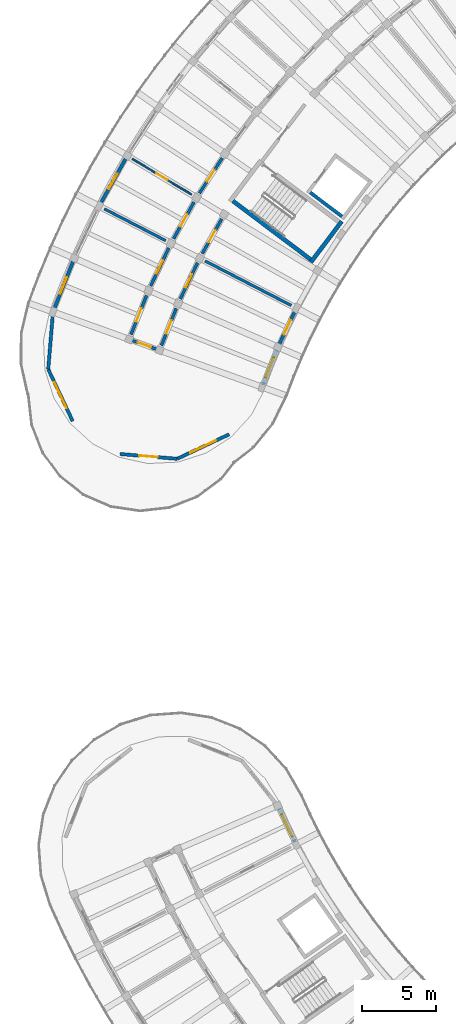
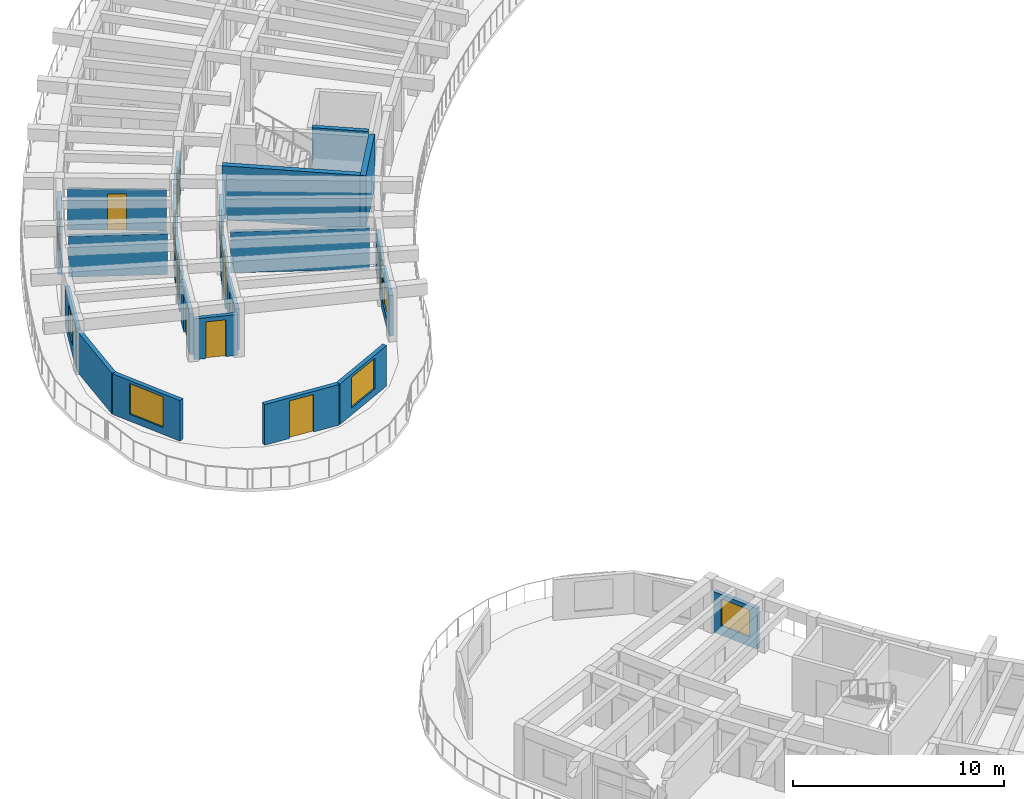
# One storey, part 36 of 62: 23 walls, 11 doors, 6 windows, 17 openings.
"""IFC4 building model written with IfcOpenShell, lengths in metres."""

from ifc_helpers import new_model, si_unit, direction, frame, frame_2d, origin, place, context, subcontext, project, spatial, rectangle, extrude, material, layer, layer_set, type_object, element, fill, save


model = new_model("IFC4")

# Units and contexts
model_context = context("Model", 3, precision=1e-05, world=origin(), true_north=direction((0.0, 1.0)))
body_context = subcontext(model_context, "Body", "Model", "MODEL_VIEW")
ifc_project = project(units=[si_unit("LENGTHUNIT", "METRE"), si_unit("AREAUNIT", "SQUARE_METRE"), si_unit("VOLUMEUNIT", "CUBIC_METRE"), si_unit("PLANEANGLEUNIT", "RADIAN"), si_unit("MASSUNIT", "GRAM", prefix="KILO")], contexts=[model_context])

# Site, building, storey
site_placement = place(None, origin())
site = spatial("IfcSite", under=ifc_project, at=site_placement, CompositionType="ELEMENT")
building_placement = place(site_placement, origin())
building = spatial("IfcBuilding", under=site, at=building_placement, Name="Tanwirah Colonnade Gardens", CompositionType="ELEMENT")
storey_placement = place(building_placement, frame((0.0, 0.0, 32.360107421875)))
storey = spatial("IfcBuildingStorey", under=building, at=storey_placement, Name="L09", CompositionType="ELEMENT", Elevation=32.360107421875)

# Wall, opening, window
ifc_material_1 = material(Name="Limestone architectural precast concrete C40/50", Category="masonry")
ifc_layer_1 = layer(ifc_material_1, 0.219970703125)
ifc_layer_set_1 = layer_set([ifc_layer_1], Name="Limestone architectural precast concrete C40/50")
wall_type_1 = type_object("IfcWallType", Name="EW-PC220", PredefinedType="SOLIDWALL", material=ifc_layer_set_1)
wall_1_placement = place(storey_placement, frame((24.3330078125, 46.572265625, 0.0), z_axis=(0.0, 0.0, 1.0), x_axis=(0.428623769132, -0.90348307374, 0.0)))
wall_1 = element("IfcWall", 1, at=wall_1_placement, inside=storey, type_object=wall_type_1, Name="Block C L09 IN Precast Facade Wall 2", PredefinedType="SOLIDWALL", context=body_context, shape_type="SweptSolid", body=[
    extrude(rectangle(XDim=2.518798828125, YDim=0.219970703125, at=frame_2d((1.25927734375, 0.0))), origin(), (0.0, 0.0, 1.0), 2.35498046875),
])
opening_1_placement = place(wall_1_placement, frame((0.439453125, 0.0, 0.550048828125)))
opening_1 = element("IfcOpeningElement", 2, at=opening_1_placement, cuts=wall_1, Name="Opening WIN-U13", PredefinedType="OPENING", context=body_context, shape_type="SweptSolid", body=[
    extrude(rectangle(XDim=1.639892578125, YDim=1.56005859375, at=frame_2d((0.81982421875, 0.780029296875))), frame((0.0, 0.119873046875, 0.0), z_axis=(0.0, -1.0, 0.0), x_axis=(1.0, 0.0, 0.0)), (0.0, 0.0, 1.0), 0.239990234375),
])
ifc_material_2 = material(Name="Thermally broken bronze aluminium and solar low-E double glazing", Category="aluminium")
window_type_1 = type_object("IfcWindowType", Name="WIN-U13", PartitioningType="DOUBLE_PANEL_VERTICAL", PredefinedType="WINDOW", material=ifc_material_2)
window_1_placement = place(opening_1_placement, origin())
window_1 = element("IfcWindow", 3, at=window_1_placement, inside=storey, type_object=window_type_1, Name="Facade window C-L09-IN-02", OverallHeight=1.56005859375, OverallWidth=1.639892578125, PartitioningType="SINGLE_PANEL", PredefinedType="WINDOW", context=body_context, shape_type="SweptSolid", body=[
    extrude(rectangle(XDim=1.639892578125, YDim=1.56005859375, at=frame_2d((0.81982421875, 0.780029296875))), frame((0.0, 0.030029296875, 0.0), z_axis=(0.0, -1.0, 0.0), x_axis=(1.0, 0.0, 0.0)), (0.0, 0.0, 1.0), 0.06005859375),
])
fill(opening_1, window_1)

ifc_layer_2 = layer(ifc_material_1, 0.22509765625)
ifc_layer_set_2 = layer_set([ifc_layer_2], Name="Limestone architectural precast concrete C40/50")
wall_type_2 = type_object("IfcWallType", Name="EW-PC225", PredefinedType="SOLIDWALL", material=ifc_layer_set_2)
wall_2_placement = place(storey_placement, frame((13.907958984375, 90.77734375, 0.0), z_axis=(0.0, 0.0, 1.0), x_axis=(-0.488240096514, -0.872709349185, 0.0)))
wall_2 = element("IfcWall", 4, at=wall_2_placement, inside=storey, type_object=wall_type_2, Name="Block A L09 OUT Precast Facade Wall 14", PredefinedType="SOLIDWALL", context=body_context, shape_type="SweptSolid", body=[
    extrude(rectangle(XDim=3.540771484375, YDim=0.22509765625, at=frame_2d((1.7705078125, 0.0))), origin(), (0.0, 0.0, 1.0), 2.35498046875),
])
opening_2_placement = place(wall_2_placement, frame((1.180419921875, 0.0, 0.550048828125)))
opening_2 = element("IfcOpeningElement", 5, at=opening_2_placement, cuts=wall_2, Name="Opening WIN-T16", PredefinedType="OPENING", context=body_context, shape_type="SweptSolid", body=[
    extrude(rectangle(XDim=1.179931640625, YDim=1.47998046875, at=frame_2d((0.58984375, 0.739990234375))), frame((0.0, 0.12255859375, 0.0), z_axis=(0.0, -1.0, 0.0), x_axis=(1.0, 0.0, 0.0)), (0.0, 0.0, 1.0), 0.2451171875),
])
window_type_2 = type_object("IfcWindowType", Name="WIN-T16", PartitioningType="SINGLE_PANEL", PredefinedType="WINDOW", material=ifc_material_2)
window_2_placement = place(opening_2_placement, origin())
window_2 = element("IfcWindow", 6, at=window_2_placement, inside=storey, type_object=window_type_2, Name="Facade window A-L09-OUT-14", OverallHeight=1.47998046875, OverallWidth=1.179931640625, PartitioningType="SINGLE_PANEL", PredefinedType="WINDOW", context=body_context, shape_type="SweptSolid", body=[
    extrude(rectangle(XDim=1.179931640625, YDim=1.47998046875, at=frame_2d((0.58984375, 0.739990234375))), frame((0.0, 0.030029296875, 0.0), z_axis=(0.0, -1.0, 0.0), x_axis=(1.0, 0.0, 0.0)), (0.0, 0.0, 1.0), 0.06005859375),
])
fill(opening_2, window_2)

# Wall, opening, door
wall_3_placement = place(storey_placement, frame((25.44189453125, 80.4609375, 0.0), z_axis=(0.0, 0.0, 1.0), x_axis=(-0.429631962494, -0.903004084599, 0.0)))
wall_3 = element("IfcWall", 7, at=wall_3_placement, inside=storey, type_object=wall_type_2, Name="Block A L09 IN Precast Facade Wall 15", PredefinedType="SOLIDWALL", context=body_context, shape_type="SweptSolid", body=[
    extrude(rectangle(XDim=2.545166015625, YDim=0.22509765625, at=frame_2d((1.2724609375, 0.0))), origin(), (0.0, 0.0, 1.0), 2.35498046875),
])
opening_3_placement = place(wall_3_placement, frame((0.732666015625, 0.0, 0.0)))
opening_3 = element("IfcOpeningElement", 8, at=opening_3_placement, cuts=wall_3, Name="Opening L09-ED044", PredefinedType="OPENING", context=body_context, shape_type="SweptSolid", body=[
    extrude(rectangle(XDim=1.080078125, YDim=2.14990234375, at=frame_2d((0.5400390625, 1.074951171875))), frame((0.0, 0.12255859375, 0.0), z_axis=(0.0, -1.0, 0.0), x_axis=(1.0, 0.0, 0.0)), (0.0, 0.0, 1.0), 0.2451171875),
])
ifc_material_3 = material(Name="Bronze aluminium glazed balcony door", Category="aluminium")
door_type_1 = type_object("IfcDoorType", Name="ED-BAL108", OperationType="NOTDEFINED", PredefinedType="DOOR", material=ifc_material_3)
door_1_placement = place(opening_3_placement, origin())
door_1 = element("IfcDoor", 9, at=door_1_placement, inside=storey, type_object=door_type_1, Name="Balcony glazed door L09-ED044", OperationType="SINGLE_SWING_LEFT", OverallHeight=2.14990234375, OverallWidth=1.080078125, PredefinedType="DOOR", context=body_context, shape_type="SweptSolid", body=[
    extrude(rectangle(XDim=1.080078125, YDim=2.14990234375, at=frame_2d((0.5400390625, 1.074951171875))), frame((0.0, 0.02490234375, 0.0), z_axis=(0.0, -1.0, 0.0), x_axis=(1.0, 0.0, 0.0)), (0.0, 0.0, 1.0), 0.050048828125),
])
fill(opening_3, door_1)

# Wall, opening, window
wall_4_placement = place(storey_placement, frame((10.330810546875, 83.7939453125, 0.0), z_axis=(0.0, 0.0, 1.0), x_axis=(-0.369178347818, -0.929358567778, 0.0)))
wall_4 = element("IfcWall", 10, at=wall_4_placement, inside=storey, type_object=wall_type_2, Name="Block A L09 OUT Precast Facade Wall 16", PredefinedType="SOLIDWALL", context=body_context, shape_type="SweptSolid", body=[
    extrude(rectangle(XDim=3.54052734375, YDim=0.22509765625, at=frame_2d((1.770263671875, 0.0))), origin(), (0.0, 0.0, 1.0), 2.35498046875),
])
opening_4_placement = place(wall_4_placement, frame((1.17041015625, 0.0, 0.550048828125)))
opening_4 = element("IfcOpeningElement", 11, at=opening_4_placement, cuts=wall_4, Name="Opening WIN-U02", PredefinedType="OPENING", context=body_context, shape_type="SweptSolid", body=[
    extrude(rectangle(XDim=1.199951171875, YDim=1.510009765625, at=frame_2d((0.60009765625, 0.7548828125))), frame((0.0, 0.12255859375, 0.0), z_axis=(0.0, -1.0, 0.0), x_axis=(1.0, 0.0, 0.0)), (0.0, 0.0, 1.0), 0.2451171875),
])
window_type_3 = type_object("IfcWindowType", Name="WIN-U02", PartitioningType="DOUBLE_PANEL_VERTICAL", PredefinedType="WINDOW", material=ifc_material_2)
window_3_placement = place(opening_4_placement, origin())
window_3 = element("IfcWindow", 12, at=window_3_placement, inside=storey, type_object=window_type_3, Name="Facade window A-L09-OUT-16", OverallHeight=1.510009765625, OverallWidth=1.199951171875, PartitioningType="SINGLE_PANEL", PredefinedType="WINDOW", context=body_context, shape_type="SweptSolid", body=[
    extrude(rectangle(XDim=1.199951171875, YDim=1.510009765625, at=frame_2d((0.60009765625, 0.7548828125))), frame((0.0, 0.030029296875, 0.0), z_axis=(0.0, -1.0, 0.0), x_axis=(1.0, 0.0, 0.0)), (0.0, 0.0, 1.0), 0.06005859375),
])
fill(opening_4, window_3)

wall_5_placement = place(storey_placement, frame((24.172607421875, 77.759521484375, 0.0), z_axis=(0.0, 0.0, 1.0), x_axis=(-0.369190124901, -0.929353889364, 0.0)))
wall_5 = element("IfcWall", 13, at=wall_5_placement, inside=storey, type_object=wall_type_2, Name="Block A L09 IN Precast Facade Wall 16", PredefinedType="SOLIDWALL", context=body_context, shape_type="SweptSolid", body=[
    extrude(rectangle(XDim=2.54541015625, YDim=0.22509765625, at=frame_2d((1.272705078125, 0.0))), origin(), (0.0, 0.0, 1.0), 2.35498046875),
])
opening_5_placement = place(wall_5_placement, frame((0.53271484375, 0.0, 0.550048828125)))
opening_5 = element("IfcOpeningElement", 14, at=opening_5_placement, cuts=wall_5, Name="Opening WIN-U09", PredefinedType="OPENING", context=body_context, shape_type="SweptSolid", body=[
    extrude(rectangle(XDim=1.47998046875, YDim=1.4599609375, at=frame_2d((0.739990234375, 0.72998046875))), frame((0.0, 0.12255859375, 0.0), z_axis=(0.0, -1.0, 0.0), x_axis=(1.0, 0.0, 0.0)), (0.0, 0.0, 1.0), 0.2451171875),
])
window_type_4 = type_object("IfcWindowType", Name="WIN-U09", PartitioningType="DOUBLE_PANEL_VERTICAL", PredefinedType="WINDOW", material=ifc_material_2)
window_4_placement = place(opening_5_placement, origin())
window_4 = element("IfcWindow", 15, at=window_4_placement, inside=storey, type_object=window_type_4, Name="Facade window A-L09-IN-16", OverallHeight=1.4599609375, OverallWidth=1.47998046875, PartitioningType="SINGLE_PANEL", PredefinedType="WINDOW", context=body_context, shape_type="SweptSolid", body=[
    extrude(rectangle(XDim=1.47998046875, YDim=1.4599609375, at=frame_2d((0.739990234375, 0.72998046875))), frame((0.0, 0.030029296875, 0.0), z_axis=(0.0, -1.0, 0.0), x_axis=(1.0, 0.0, 0.0)), (0.0, 0.0, 1.0), 0.06005859375),
])
fill(opening_5, window_4)

wall_6_placement = place(storey_placement, frame((20.94287109375, 72.030517578125, 0.0), z_axis=(0.0, 0.0, 1.0), x_axis=(-0.904675662712, -0.42610086282, 0.0)))
wall_6 = element("IfcWall", 16, at=wall_6_placement, inside=storey, type_object=wall_type_2, Name="Block A L09 END Rounded End Wall 1", PredefinedType="SOLIDWALL", context=body_context, shape_type="SweptSolid", body=[
    extrude(rectangle(XDim=3.908203125, YDim=0.22509765625, at=frame_2d((1.9541015625, 0.0))), origin(), (0.0, 0.0, 1.0), 2.35498046875),
])
opening_6_placement = place(wall_6_placement, frame((0.97900390625, 0.0, 0.39990234375)))
opening_6 = element("IfcOpeningElement", 17, at=opening_6_placement, cuts=wall_6, Name="Opening WIN-END2", PredefinedType="OPENING", context=body_context, shape_type="SweptSolid", body=[
    extrude(rectangle(XDim=1.949951171875, YDim=1.780029296875, at=frame_2d((0.97509765625, 0.89013671875))), frame((0.0, 0.12255859375, 0.0), z_axis=(0.0, -1.0, 0.0), x_axis=(1.0, 0.0, 0.0)), (0.0, 0.0, 1.0), 0.2451171875),
])
window_type_5 = type_object("IfcWindowType", Name="WIN-END2", PartitioningType="TRIPLE_PANEL_VERTICAL", PredefinedType="WINDOW", material=ifc_material_2)
window_5_placement = place(opening_6_placement, origin())
window_5 = element("IfcWindow", 18, at=window_5_placement, inside=storey, type_object=window_type_5, Name="Rounded corner window A-L09-END-1", OverallHeight=1.780029296875, OverallWidth=1.949951171875, PartitioningType="SINGLE_PANEL", PredefinedType="WINDOW", context=body_context, shape_type="SweptSolid", body=[
    extrude(rectangle(XDim=1.949951171875, YDim=1.780029296875, at=frame_2d((0.97509765625, 0.89013671875))), frame((0.0, 0.030029296875, 0.0), z_axis=(0.0, -1.0, 0.0), x_axis=(1.0, 0.0, 0.0)), (0.0, 0.0, 1.0), 0.06005859375),
])
fill(opening_6, window_5)

# Wall, opening, door
wall_7_placement = place(storey_placement, frame((17.4072265625, 70.365234375, 0.0), z_axis=(0.0, 0.0, 1.0), x_axis=(-0.996526775767, 0.083272955874, 0.0)))
wall_7 = element("IfcWall", 19, at=wall_7_placement, inside=storey, type_object=wall_type_2, Name="Block A L09 END Rounded End Wall 2", PredefinedType="SOLIDWALL", context=body_context, shape_type="SweptSolid", body=[
    extrude(rectangle(XDim=3.908203125, YDim=0.22509765625, at=frame_2d((1.9541015625, 0.0))), origin(), (0.0, 0.0, 1.0), 2.35498046875),
])
opening_7_placement = place(wall_7_placement, frame((1.32421875, 0.0, 0.0)))
opening_7 = element("IfcOpeningElement", 20, at=opening_7_placement, cuts=wall_7, Name="Opening L09-ED046", PredefinedType="OPENING", context=body_context, shape_type="SweptSolid", body=[
    extrude(rectangle(XDim=1.260009765625, YDim=2.179931640625, at=frame_2d((0.6298828125, 1.08984375))), frame((0.0, 0.12255859375, 0.0), z_axis=(0.0, -1.0, 0.0), x_axis=(1.0, 0.0, 0.0)), (0.0, 0.0, 1.0), 0.2451171875),
])
ifc_material_4 = material(Name="Bronze aluminium glazed terrace door", Category="aluminium")
door_type_2 = type_object("IfcDoorType", Name="ED-TER126", OperationType="NOTDEFINED", PredefinedType="DOOR", material=ifc_material_4)
door_2_placement = place(opening_7_placement, origin())
door_2 = element("IfcDoor", 21, at=door_2_placement, inside=storey, type_object=door_type_2, Name="Stepped corner terrace door L09-ED046", OperationType="SINGLE_SWING_LEFT", OverallHeight=2.179931640625, OverallWidth=1.260009765625, PredefinedType="DOOR", context=body_context, shape_type="SweptSolid", body=[
    extrude(rectangle(XDim=1.260009765625, YDim=2.179931640625, at=frame_2d((0.6298828125, 1.08984375))), frame((0.0, 0.02490234375, 0.0), z_axis=(0.0, -1.0, 0.0), x_axis=(1.0, 0.0, 0.0)), (0.0, 0.0, 1.0), 0.050048828125),
])
fill(opening_7, door_2)

# Wall, opening, window
wall_8_placement = place(storey_placement, frame((10.302490234375, 72.919921875, 0.0), z_axis=(0.0, 0.0, 1.0), x_axis=(-0.42610086282, 0.904675662712, 0.0)))
wall_8 = element("IfcWall", 22, at=wall_8_placement, inside=storey, type_object=wall_type_2, Name="Block A L09 END Rounded End Wall 4", PredefinedType="SOLIDWALL", context=body_context, shape_type="SweptSolid", body=[
    extrude(rectangle(XDim=3.908203125, YDim=0.22509765625, at=frame_2d((1.9541015625, 0.0))), origin(), (0.0, 0.0, 1.0), 2.35498046875),
])
opening_8_placement = place(wall_8_placement, frame((0.97900390625, 0.0, 0.39990234375)))
opening_8 = element("IfcOpeningElement", 23, at=opening_8_placement, cuts=wall_8, Name="Opening WIN-END2", PredefinedType="OPENING", context=body_context, shape_type="SweptSolid", body=[
    extrude(rectangle(XDim=1.949951171875, YDim=1.780029296875, at=frame_2d((0.97509765625, 0.89013671875))), frame((0.0, 0.12255859375, 0.0), z_axis=(0.0, -1.0, 0.0), x_axis=(1.0, 0.0, 0.0)), (0.0, 0.0, 1.0), 0.2451171875),
])
window_6_placement = place(opening_8_placement, origin())
window_6 = element("IfcWindow", 24, at=window_6_placement, inside=storey, type_object=window_type_5, Name="Rounded corner window A-L09-END-4", OverallHeight=1.780029296875, OverallWidth=1.949951171875, PartitioningType="SINGLE_PANEL", PredefinedType="WINDOW", context=body_context, shape_type="SweptSolid", body=[
    extrude(rectangle(XDim=1.949951171875, YDim=1.780029296875, at=frame_2d((0.97509765625, 0.89013671875))), frame((0.0, 0.030029296875, 0.0), z_axis=(0.0, -1.0, 0.0), x_axis=(1.0, 0.0, 0.0)), (0.0, 0.0, 1.0), 0.06005859375),
])
fill(opening_8, window_6)

# Wall
wall_9_placement = place(storey_placement, frame((8.63720703125, 76.45556640625, 0.0), z_axis=(0.0, 0.0, 1.0), x_axis=(0.083272955874, 0.996526775767, 0.0)))
element("IfcWall", 25, at=wall_9_placement, inside=storey, type_object=wall_type_2, Name="Block A L09 END Rounded End Wall 5", PredefinedType="SOLIDWALL", context=body_context, shape_type="SweptSolid", body=[
    extrude(rectangle(XDim=3.908203125, YDim=0.22509765625, at=frame_2d((1.9541015625, 0.0))), origin(), (0.0, 0.0, 1.0), 2.35498046875),
])

# Wall, opening, door
ifc_material_5 = material(Name="Precast concrete C40/50", Category="concrete")
ifc_layer_3 = layer(ifc_material_5, 0.205078125)
ifc_layer_set_3 = layer_set([ifc_layer_3], Name="Precast concrete C40/50")
wall_type_3 = type_object("IfcWallType", Name="IW-CORR205", PredefinedType="PARTITIONING", material=ifc_layer_set_3)
wall_10_placement = place(storey_placement, frame((20.47412109375, 90.822265625, 0.0), z_axis=(0.0, 0.0, 1.0), x_axis=(-0.544643612649, -0.838667595178, 0.0)))
wall_10 = element("IfcWall", 26, at=wall_10_placement, inside=storey, type_object=wall_type_3, Name="Block A L09 OUT Corridor Wall 13", PredefinedType="PARTITIONING", context=body_context, shape_type="SweptSolid", body=[
    extrude(rectangle(XDim=2.863037109375, YDim=0.205078125, at=frame_2d((1.431640625, 0.0))), origin(), (0.0, 0.0, 1.0), 2.369873046875),
])
opening_9_placement = place(wall_10_placement, frame((0.95654296875, 0.0, 0.0)))
opening_9 = element("IfcOpeningElement", 27, at=opening_9_placement, cuts=wall_10, Name="Opening L09-AD624", PredefinedType="OPENING", context=body_context, shape_type="SweptSolid", body=[
    extrude(rectangle(XDim=0.949951171875, YDim=2.1298828125, at=frame_2d((0.47509765625, 1.06494140625))), frame((0.0, 0.112548828125, 0.0), z_axis=(0.0, -1.0, 0.0), x_axis=(1.0, 0.0, 0.0)), (0.0, 0.0, 1.0), 0.22509765625),
])
ifc_material_6 = material(Name="Solid oak fire-resisting apartment entrance door")
door_type_3 = type_object("IfcDoorType", Name="ID-FLT095", OperationType="NOTDEFINED", PredefinedType="DOOR", material=ifc_material_6)
door_3_placement = place(opening_9_placement, origin())
door_3 = element("IfcDoor", 28, at=door_3_placement, inside=storey, type_object=door_type_3, Name="Apartment corridor door L09-AD624", OperationType="SINGLE_SWING_LEFT", OverallHeight=2.1298828125, OverallWidth=0.949951171875, PredefinedType="DOOR", context=body_context, shape_type="SweptSolid", body=[
    extrude(rectangle(XDim=0.949951171875, YDim=2.1298828125, at=frame_2d((0.47509765625, 1.06494140625))), frame((0.0, 0.02490234375, 0.0), z_axis=(0.0, -1.0, 0.0), x_axis=(1.0, 0.0, 0.0)), (0.0, 0.0, 1.0), 0.050048828125),
])
fill(opening_9, door_3)

wall_11_placement = place(storey_placement, frame((18.55322265625, 87.822021484375, 0.0), z_axis=(0.0, 0.0, 1.0), x_axis=(-0.488211211273, -0.872725508501, 0.0)))
wall_11 = element("IfcWall", 29, at=wall_11_placement, inside=storey, type_object=wall_type_3, Name="Block A L09 OUT Corridor Wall 14", PredefinedType="PARTITIONING", context=body_context, shape_type="SweptSolid", body=[
    extrude(rectangle(XDim=2.86279296875, YDim=0.205078125, at=frame_2d((1.431396484375, 0.0))), origin(), (0.0, 0.0, 1.0), 2.369873046875),
])
opening_10_placement = place(wall_11_placement, frame((0.966552734375, 0.0, 0.0)))
opening_10 = element("IfcOpeningElement", 30, at=opening_10_placement, cuts=wall_11, Name="Opening L09-AD626", PredefinedType="OPENING", context=body_context, shape_type="SweptSolid", body=[
    extrude(rectangle(XDim=0.929931640625, YDim=2.1201171875, at=frame_2d((0.46484375, 1.06005859375))), frame((0.0, 0.112548828125, 0.0), z_axis=(0.0, -1.0, 0.0), x_axis=(1.0, 0.0, 0.0)), (0.0, 0.0, 1.0), 0.22509765625),
])
door_type_4 = type_object("IfcDoorType", Name="ID-FLT093", OperationType="NOTDEFINED", PredefinedType="DOOR", material=ifc_material_6)
door_4_placement = place(opening_10_placement, origin())
door_4 = element("IfcDoor", 31, at=door_4_placement, inside=storey, type_object=door_type_4, Name="Apartment corridor door L09-AD626", OperationType="SINGLE_SWING_RIGHT", OverallHeight=2.1201171875, OverallWidth=0.929931640625, PredefinedType="DOOR", context=body_context, shape_type="SweptSolid", body=[
    extrude(rectangle(XDim=0.929931640625, YDim=2.1201171875, at=frame_2d((0.46484375, 1.06005859375))), frame((0.0, 0.02490234375, 0.0), z_axis=(0.0, -1.0, 0.0), x_axis=(1.0, 0.0, 0.0)), (0.0, 0.0, 1.0), 0.050048828125),
])
fill(opening_10, door_4)

wall_12_placement = place(storey_placement, frame((20.436767578125, 86.685302734375, 0.0), z_axis=(0.0, 0.0, 1.0), x_axis=(-0.48819576874, -0.872734147025, 0.0)))
wall_12 = element("IfcWall", 32, at=wall_12_placement, inside=storey, type_object=wall_type_3, Name="Block A L09 IN Corridor Wall 14", PredefinedType="PARTITIONING", context=body_context, shape_type="SweptSolid", body=[
    extrude(rectangle(XDim=2.718017578125, YDim=0.205078125, at=frame_2d((1.35888671875, 0.0))), origin(), (0.0, 0.0, 1.0), 2.369873046875),
])
opening_11_placement = place(wall_12_placement, frame((0.89404296875, 0.0, 0.0)))
opening_11 = element("IfcOpeningElement", 33, at=opening_11_placement, cuts=wall_12, Name="Opening L09-AD627", PredefinedType="OPENING", context=body_context, shape_type="SweptSolid", body=[
    extrude(rectangle(XDim=0.929931640625, YDim=2.1201171875, at=frame_2d((0.46484375, 1.06005859375))), frame((0.0, 0.112548828125, 0.0), z_axis=(0.0, -1.0, 0.0), x_axis=(1.0, 0.0, 0.0)), (0.0, 0.0, 1.0), 0.22509765625),
])
door_5_placement = place(opening_11_placement, origin())
door_5 = element("IfcDoor", 34, at=door_5_placement, inside=storey, type_object=door_type_4, Name="Apartment corridor door L09-AD627", OperationType="SINGLE_SWING_LEFT", OverallHeight=2.1201171875, OverallWidth=0.929931640625, PredefinedType="DOOR", context=body_context, shape_type="SweptSolid", body=[
    extrude(rectangle(XDim=0.929931640625, YDim=2.1201171875, at=frame_2d((0.46484375, 1.06005859375))), frame((0.0, 0.02490234375, 0.0), z_axis=(0.0, -1.0, 0.0), x_axis=(1.0, 0.0, 0.0)), (0.0, 0.0, 1.0), 0.050048828125),
])
fill(opening_11, door_5)

wall_13_placement = place(storey_placement, frame((16.834228515625, 84.701904296875, 0.0), z_axis=(0.0, 0.0, 1.0), x_axis=(-0.429595933416, -0.90302122566, 0.0)))
wall_13 = element("IfcWall", 35, at=wall_13_placement, inside=storey, type_object=wall_type_3, Name="Block A L09 OUT Corridor Wall 15", PredefinedType="PARTITIONING", context=body_context, shape_type="SweptSolid", body=[
    extrude(rectangle(XDim=2.863037109375, YDim=0.205078125, at=frame_2d((1.431640625, 0.0))), origin(), (0.0, 0.0, 1.0), 2.369873046875),
])
opening_12_placement = place(wall_13_placement, frame((0.9365234375, 0.0, 0.0)))
opening_12 = element("IfcOpeningElement", 36, at=opening_12_placement, cuts=wall_13, Name="Opening L09-AD628", PredefinedType="OPENING", context=body_context, shape_type="SweptSolid", body=[
    extrude(rectangle(XDim=0.989990234375, YDim=2.159912109375, at=frame_2d((0.4951171875, 1.080078125))), frame((0.0, 0.112548828125, 0.0), z_axis=(0.0, -1.0, 0.0), x_axis=(1.0, 0.0, 0.0)), (0.0, 0.0, 1.0), 0.22509765625),
])
door_type_5 = type_object("IfcDoorType", Name="ID-FLT099", OperationType="NOTDEFINED", PredefinedType="DOOR", material=ifc_material_6)
door_6_placement = place(opening_12_placement, origin())
door_6 = element("IfcDoor", 37, at=door_6_placement, inside=storey, type_object=door_type_5, Name="Apartment corridor door L09-AD628", OperationType="SINGLE_SWING_LEFT", OverallHeight=2.159912109375, OverallWidth=0.989990234375, PredefinedType="DOOR", context=body_context, shape_type="SweptSolid", body=[
    extrude(rectangle(XDim=0.989990234375, YDim=2.159912109375, at=frame_2d((0.4951171875, 1.080078125))), frame((0.0, 0.02490234375, 0.0), z_axis=(0.0, -1.0, 0.0), x_axis=(1.0, 0.0, 0.0)), (0.0, 0.0, 1.0), 0.050048828125),
])
fill(opening_12, door_6)

wall_14_placement = place(storey_placement, frame((18.78857421875, 83.691650390625, 0.0), z_axis=(0.0, 0.0, 1.0), x_axis=(-0.429630211913, -0.90300491749, 0.0)))
wall_14 = element("IfcWall", 38, at=wall_14_placement, inside=storey, type_object=wall_type_3, Name="Block A L09 IN Corridor Wall 15", PredefinedType="PARTITIONING", context=body_context, shape_type="SweptSolid", body=[
    extrude(rectangle(XDim=2.718017578125, YDim=0.205078125, at=frame_2d((1.35888671875, 0.0))), origin(), (0.0, 0.0, 1.0), 2.369873046875),
])
opening_13_placement = place(wall_14_placement, frame((0.864013671875, 0.0, 0.0)))
opening_13 = element("IfcOpeningElement", 39, at=opening_13_placement, cuts=wall_14, Name="Opening L09-AD629", PredefinedType="OPENING", context=body_context, shape_type="SweptSolid", body=[
    extrude(rectangle(XDim=0.989990234375, YDim=2.159912109375, at=frame_2d((0.4951171875, 1.080078125))), frame((0.0, 0.112548828125, 0.0), z_axis=(0.0, -1.0, 0.0), x_axis=(1.0, 0.0, 0.0)), (0.0, 0.0, 1.0), 0.22509765625),
])
door_7_placement = place(opening_13_placement, origin())
door_7 = element("IfcDoor", 40, at=door_7_placement, inside=storey, type_object=door_type_5, Name="Apartment corridor door L09-AD629", OperationType="SINGLE_SWING_RIGHT", OverallHeight=2.159912109375, OverallWidth=0.989990234375, PredefinedType="DOOR", context=body_context, shape_type="SweptSolid", body=[
    extrude(rectangle(XDim=0.989990234375, YDim=2.159912109375, at=frame_2d((0.4951171875, 1.080078125))), frame((0.0, 0.02490234375, 0.0), z_axis=(0.0, -1.0, 0.0), x_axis=(1.0, 0.0, 0.0)), (0.0, 0.0, 1.0), 0.050048828125),
])
fill(opening_13, door_7)

wall_15_placement = place(storey_placement, frame((15.32470703125, 81.47509765625, 0.0), z_axis=(0.0, 0.0, 1.0), x_axis=(-0.369213832442, -0.929344471083, 0.0)))
wall_15 = element("IfcWall", 41, at=wall_15_placement, inside=storey, type_object=wall_type_3, Name="Block A L09 OUT Corridor Wall 16", PredefinedType="PARTITIONING", context=body_context, shape_type="SweptSolid", body=[
    extrude(rectangle(XDim=2.86328125, YDim=0.205078125, at=frame_2d((1.431640625, 0.0))), origin(), (0.0, 0.0, 1.0), 2.369873046875),
])
opening_14_placement = place(wall_15_placement, frame((0.946533203125, 0.0, 0.0)))
opening_14 = element("IfcOpeningElement", 42, at=opening_14_placement, cuts=wall_15, Name="Opening L09-AD630", PredefinedType="OPENING", context=body_context, shape_type="SweptSolid", body=[
    extrude(rectangle(XDim=0.969970703125, YDim=2.14990234375, at=frame_2d((0.48486328125, 1.074951171875))), frame((0.0, 0.112548828125, 0.0), z_axis=(0.0, -1.0, 0.0), x_axis=(1.0, 0.0, 0.0)), (0.0, 0.0, 1.0), 0.22509765625),
])
door_type_6 = type_object("IfcDoorType", Name="ID-FLT097", OperationType="NOTDEFINED", PredefinedType="DOOR", material=ifc_material_6)
door_8_placement = place(opening_14_placement, origin())
door_8 = element("IfcDoor", 43, at=door_8_placement, inside=storey, type_object=door_type_6, Name="Apartment corridor door L09-AD630", OperationType="SINGLE_SWING_RIGHT", OverallHeight=2.14990234375, OverallWidth=0.969970703125, PredefinedType="DOOR", context=body_context, shape_type="SweptSolid", body=[
    extrude(rectangle(XDim=0.969970703125, YDim=2.14990234375, at=frame_2d((0.48486328125, 1.074951171875))), frame((0.0, 0.02490234375, 0.0), z_axis=(0.0, -1.0, 0.0), x_axis=(1.0, 0.0, 0.0)), (0.0, 0.0, 1.0), 0.050048828125),
])
fill(opening_14, door_8)

wall_16_placement = place(storey_placement, frame((17.34130859375, 80.595947265625, 0.0), z_axis=(0.0, 0.0, 1.0), x_axis=(-0.369237170461, -0.929335198919, 0.0)))
wall_16 = element("IfcWall", 44, at=wall_16_placement, inside=storey, type_object=wall_type_3, Name="Block A L09 IN Corridor Wall 16", PredefinedType="PARTITIONING", context=body_context, shape_type="SweptSolid", body=[
    extrude(rectangle(XDim=2.71826171875, YDim=0.205078125, at=frame_2d((1.359130859375, 0.0))), origin(), (0.0, 0.0, 1.0), 2.369873046875),
])
opening_15_placement = place(wall_16_placement, frame((0.8740234375, 0.0, 0.0)))
opening_15 = element("IfcOpeningElement", 45, at=opening_15_placement, cuts=wall_16, Name="Opening L09-AD631", PredefinedType="OPENING", context=body_context, shape_type="SweptSolid", body=[
    extrude(rectangle(XDim=0.969970703125, YDim=2.14990234375, at=frame_2d((0.48486328125, 1.074951171875))), frame((0.0, 0.112548828125, 0.0), z_axis=(0.0, -1.0, 0.0), x_axis=(1.0, 0.0, 0.0)), (0.0, 0.0, 1.0), 0.22509765625),
])
door_9_placement = place(opening_15_placement, origin())
door_9 = element("IfcDoor", 46, at=door_9_placement, inside=storey, type_object=door_type_6, Name="Apartment corridor door L09-AD631", OperationType="SINGLE_SWING_LEFT", OverallHeight=2.14990234375, OverallWidth=0.969970703125, PredefinedType="DOOR", context=body_context, shape_type="SweptSolid", body=[
    extrude(rectangle(XDim=0.969970703125, YDim=2.14990234375, at=frame_2d((0.48486328125, 1.074951171875))), frame((0.0, 0.02490234375, 0.0), z_axis=(0.0, -1.0, 0.0), x_axis=(1.0, 0.0, 0.0)), (0.0, 0.0, 1.0), 0.050048828125),
])
fill(opening_15, door_9)

wall_17_placement = place(storey_placement, frame((16.161376953125, 77.761474609375, 0.0), z_axis=(0.0, 0.0, 1.0), x_axis=(-0.940992591523, 0.338427160109, 0.0)))
wall_17 = element("IfcWall", 47, at=wall_17_placement, inside=storey, type_object=wall_type_3, Name="Block A L09 CE Corner Suite Corridor Wall", PredefinedType="PARTITIONING", context=body_context, shape_type="SweptSolid", body=[
    extrude(rectangle(XDim=2.10009765625, YDim=0.205078125, at=frame_2d((1.050048828125, 0.0))), origin(), (0.0, 0.0, 1.0), 2.369873046875),
])
opening_16_placement = place(wall_17_placement, frame((0.570068359375, 0.0, 0.0)))
opening_16 = element("IfcOpeningElement", 48, at=opening_16_placement, cuts=wall_17, Name="Opening L09-CD633", PredefinedType="OPENING", context=body_context, shape_type="SweptSolid", body=[
    extrude(rectangle(XDim=0.949951171875, YDim=2.1298828125, at=frame_2d((0.47509765625, 1.06494140625))), frame((0.0, 0.112548828125, 0.0), z_axis=(0.0, -1.0, 0.0), x_axis=(1.0, 0.0, 0.0)), (0.0, 0.0, 1.0), 0.22509765625),
])
door_10_placement = place(opening_16_placement, origin())
door_10 = element("IfcDoor", 49, at=door_10_placement, inside=storey, type_object=door_type_3, Name="Corner suite entrance door L09-CD633", OperationType="SINGLE_SWING_RIGHT", OverallHeight=2.1298828125, OverallWidth=0.949951171875, PredefinedType="DOOR", context=body_context, shape_type="SweptSolid", body=[
    extrude(rectangle(XDim=0.949951171875, YDim=2.1298828125, at=frame_2d((0.47509765625, 1.06494140625))), frame((0.0, 0.02490234375, 0.0), z_axis=(0.0, -1.0, 0.0), x_axis=(1.0, 0.0, 0.0)), (0.0, 0.0, 1.0), 0.050048828125),
])
fill(opening_16, door_10)

# Walls
ifc_layer_4 = layer(ifc_material_5, 0.18505859375)
ifc_layer_set_4 = layer_set([ifc_layer_4], Name="Precast concrete C40/50")
wall_type_4 = type_object("IfcWallType", Name="IW-DEM185", PredefinedType="PARTITIONING", material=ifc_layer_set_4)
wall_18_placement = place(storey_placement, frame((16.62939453125, 85.20166015625, 0.0), z_axis=(0.0, 0.0, 1.0), x_axis=(-0.88836305433, 0.459141681512, 0.0)))
element("IfcWall", 50, at=wall_18_placement, inside=storey, type_object=wall_type_4, Name="Block A L09 Radial Partition 14", PredefinedType="PARTITIONING", context=body_context, shape_type="SweptSolid", body=[
    extrude(rectangle(XDim=4.699951171875, YDim=0.18505859375, at=frame_2d((2.35009765625, 0.0))), origin(), (0.0, 0.0, 1.0), 2.369873046875),
])
wall_19_placement = place(storey_placement, frame((25.157470703125, 80.793701171875, 0.0), z_axis=(0.0, 0.0, 1.0), x_axis=(-0.888346696024, 0.459173330741, 0.0)))
element("IfcWall", 51, at=wall_19_placement, inside=storey, type_object=wall_type_4, Name="Block A L09 Inner Radial Partition 14", PredefinedType="PARTITIONING", context=body_context, shape_type="SweptSolid", body=[
    extrude(rectangle(XDim=6.599853515625, YDim=0.18505859375, at=frame_2d((3.2998046875, 0.0))), origin(), (0.0, 0.0, 1.0), 2.369873046875),
])

# Wall, opening, door
ifc_material_7 = material(Name="Acoustic gypsum stud partition")
ifc_layer_5 = layer(ifc_material_7, 0.114990234375)
ifc_layer_set_5 = layer_set([ifc_layer_5], Name="Acoustic gypsum stud partition")
wall_type_5 = type_object("IfcWallType", Name="IW-INT115", PredefinedType="PARTITIONING", material=ifc_layer_set_5)
wall_20_placement = place(storey_placement, frame((18.381591796875, 88.334228515625, 0.0), z_axis=(0.0, 0.0, 1.0), x_axis=(-0.856165473929, 0.516701733356, 0.0)))
wall_20 = element("IfcWall", 52, at=wall_20_placement, inside=storey, type_object=wall_type_5, Name="Block A L09 Radial Partition 13", PredefinedType="PARTITIONING", context=body_context, shape_type="SweptSolid", body=[
    extrude(rectangle(XDim=4.699951171875, YDim=0.114990234375, at=frame_2d((2.35009765625, 0.0))), origin(), (0.0, 0.0, 1.0), 2.369873046875),
])
opening_17_placement = place(wall_20_placement, frame((1.905029296875, 0.0, 0.0)))
opening_17 = element("IfcOpeningElement", 53, at=opening_17_placement, cuts=wall_20, Name="Opening L09-RD625", PredefinedType="OPENING", context=body_context, shape_type="SweptSolid", body=[
    extrude(rectangle(XDim=0.889892578125, YDim=2.10009765625, at=frame_2d((0.44482421875, 1.050048828125))), frame((0.0, 0.0673828125, 0.0), z_axis=(0.0, -1.0, 0.0), x_axis=(1.0, 0.0, 0.0)), (0.0, 0.0, 1.0), 0.135009765625),
])
ifc_material_8 = material(Name="Painted hardwood bedroom door", Category="wood")
door_type_7 = type_object("IfcDoorType", Name="ID-RM089", OperationType="NOTDEFINED", PredefinedType="DOOR", material=ifc_material_8)
door_11_placement = place(opening_17_placement, origin())
door_11 = element("IfcDoor", 54, at=door_11_placement, inside=storey, type_object=door_type_7, Name="Internal apartment door L09-RD625", OperationType="SINGLE_SWING_LEFT", OverallHeight=2.10009765625, OverallWidth=0.889892578125, PredefinedType="DOOR", context=body_context, shape_type="SweptSolid", body=[
    extrude(rectangle(XDim=0.889892578125, YDim=2.10009765625, at=frame_2d((0.44482421875, 1.050048828125))), frame((0.0, 0.02490234375, 0.0), z_axis=(0.0, -1.0, 0.0), x_axis=(1.0, 0.0, 0.0)), (0.0, 0.0, 1.0), 0.050048828125),
])
fill(opening_17, door_11)

# Walls
ifc_material_9 = material(Name="Concrete C45/55", Category="concrete")
ifc_layer_6 = layer(ifc_material_9, 0.280029296875)
ifc_layer_set_6 = layer_set([ifc_layer_6], Name="Concrete C45/55")
wall_type_6 = type_object("IfcWallType", Name="SW-CORE280", PredefinedType="SHEAR", material=ifc_layer_set_6)
wall_21_placement = place(storey_placement, frame((21.19873046875, 87.8974609375, 0.0), z_axis=(0.0, 0.0, 1.0), x_axis=(0.798639633744, -0.601809550782, 0.0)))
element("IfcWall", 55, at=wall_21_placement, inside=storey, type_object=wall_type_6, Name="CORE-A2 L09 Stair Shaft Shear Wall LEFT", PredefinedType="SHEAR", context=body_context, shape_type="SweptSolid", body=[
    extrude(rectangle(XDim=6.599853515625, YDim=0.280029296875, at=frame_2d((3.2998046875, 0.0))), origin(), (0.0, 0.0, 1.0), 3.10986328125),
])
wall_22_placement = place(storey_placement, frame((26.497314453125, 83.7294921875, 0.0), z_axis=(0.0, 0.0, 1.0), x_axis=(0.601794470585, 0.798650997102, 0.0)))
element("IfcWall", 56, at=wall_22_placement, inside=storey, type_object=wall_type_6, Name="CORE-A2 L09 Stair Shaft Shear Wall FAR", PredefinedType="SHEAR", context=body_context, shape_type="SweptSolid", body=[
    extrude(rectangle(XDim=3.47998046875, YDim=0.280029296875, at=frame_2d((1.739990234375, 0.0))), origin(), (0.0, 0.0, 1.0), 3.10986328125),
])
ifc_layer_7 = layer(ifc_material_9, 0.22998046875)
ifc_layer_set_7 = layer_set([ifc_layer_7], Name="Concrete C45/55")
wall_type_7 = type_object("IfcWallType", Name="SW-LIFT230", PredefinedType="SHEAR", material=ifc_layer_set_7)
wall_23_placement = place(storey_placement, frame((26.455078125, 88.4755859375, 0.0), z_axis=(0.0, 0.0, 1.0), x_axis=(0.798608971494, -0.601850239387, 0.0)))
element("IfcWall", 57, at=wall_23_placement, inside=storey, type_object=wall_type_7, Name="CORE-A2 L09 Lift Shaft Wall SIDEA", PredefinedType="SHEAR", context=body_context, shape_type="SweptSolid", body=[
    extrude(rectangle(XDim=2.699951171875, YDim=0.22998046875, at=frame_2d((1.35009765625, 0.0))), origin(), (0.0, 0.0, 1.0), 3.10986328125),
])

save(model, "model.ifc")
